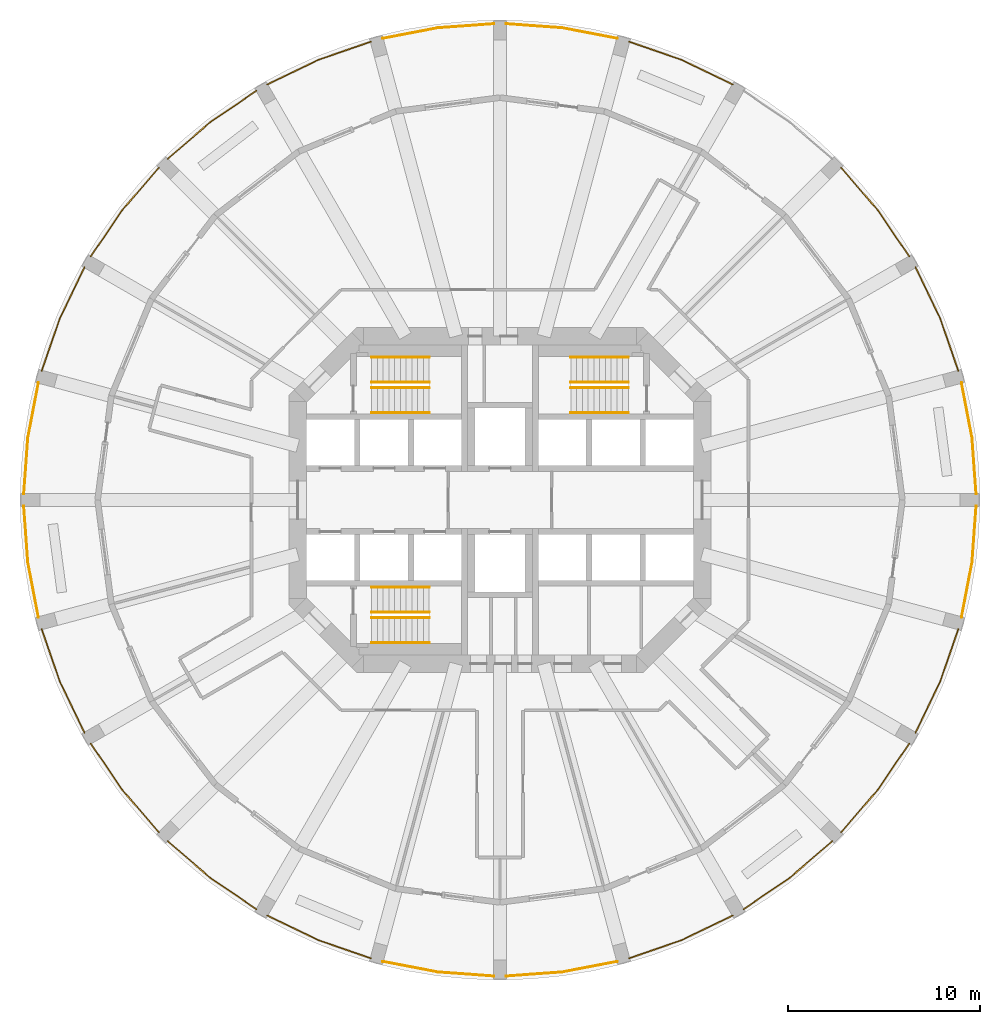
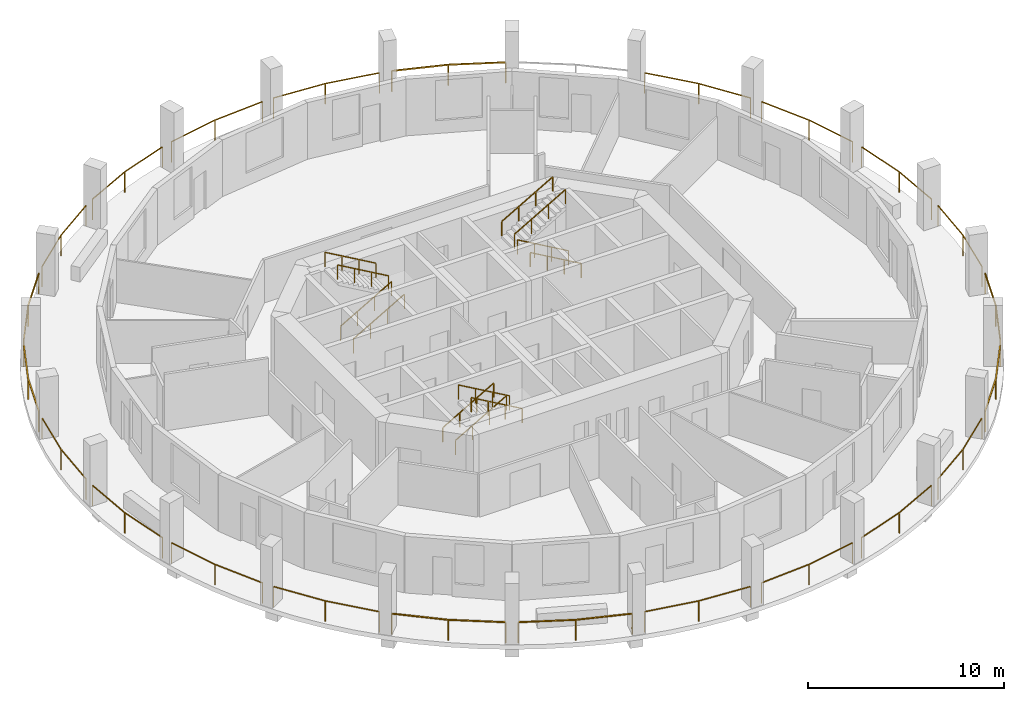
# One storey, part 7 of 8: 35 railings.
"""IFC4 building model written with IfcOpenShell, lengths in metres."""

from ifc_helpers import new_model, si_unit, direction, frame, origin, origin_2d, place, context, subcontext, project, spatial, rectangle, extrude, material, type_object, element, save


model = new_model("IFC4")

# Units and contexts
model_context = context("Model", 3, precision=1e-05, world=origin(), true_north=direction((0.0, 1.0)))
body_context = subcontext(model_context, "Body", "Model", "MODEL_VIEW")
ifc_project = project(units=[si_unit("LENGTHUNIT", "METRE"), si_unit("AREAUNIT", "SQUARE_METRE"), si_unit("VOLUMEUNIT", "CUBIC_METRE"), si_unit("PLANEANGLEUNIT", "RADIAN"), si_unit("MASSUNIT", "GRAM", prefix="KILO")], contexts=[model_context])

# Site, building, storey
site_placement = place(None, origin())
site = spatial("IfcSite", under=ifc_project, at=site_placement, CompositionType="ELEMENT")
building_placement = place(site_placement, origin())
building = spatial("IfcBuilding", under=site, at=building_placement, Name="Torre Triforio", CompositionType="ELEMENT")
storey_placement = place(building_placement, frame((0.0, 0.0, 116.199951171875)))
storey = spatial("IfcBuildingStorey", under=building, at=storey_placement, Name="L25", CompositionType="ELEMENT", Elevation=116.199951171875)

# Railings
ifc_material = material(Name="Stainless steel AISI 316", Category="steel")
railing_type_1 = type_object("IfcRailingType", Name="HANDRAIL 920", PredefinedType="HANDRAIL", material=ifc_material)
for number, where, name in (
    (1, (-6.699951171875, 4.550048828125, 0.1728515625), "Handrail ST1"),
    (2, (-6.699951171875, 5.85009765625, 0.1728515625), "Handrail ST1"),
):
    element("IfcRailing", number, at=place(storey_placement, frame(where)), inside=storey, type_object=railing_type_1, Name=name, PredefinedType="HANDRAIL", context=body_context, shape_type="SweptSolid", body=[
        extrude(rectangle(XDim=0.048095703125, YDim=0.048095703125, at=origin_2d()), frame((0.0, 0.0, 0.89599609375), z_axis=(0.866619684472, 0.0, 0.498969260062), x_axis=(0.0, 1.0, 0.0)), (0.0, 0.0, 1.0), 3.461669921875),
        extrude(rectangle(XDim=0.0419921875, YDim=0.0419921875, at=origin_2d()), origin(), (0.0, 0.0, 1.0), 0.871826171875),
        extrude(rectangle(XDim=0.0419921875, YDim=0.0419921875, at=origin_2d()), frame((1.0, 0.0, 0.57568359375)), (0.0, 0.0, 1.0), 0.871826171875),
        extrude(rectangle(XDim=0.0419921875, YDim=0.0419921875, at=origin_2d()), frame((2.0, 0.0, 1.151611328125)), (0.0, 0.0, 1.0), 0.871826171875),
        extrude(rectangle(XDim=0.0419921875, YDim=0.0419921875, at=origin_2d()), frame((3.0, 0.0, 1.727294921875)), (0.0, 0.0, 1.0), 0.871826171875),
    ])
for number, where, name in (
    (3, (-3.699951171875, 7.449951171875, 2.07275390625), "Handrail ST1"),
    (4, (-3.699951171875, 6.14990234375, 2.07275390625), "Handrail ST1"),
    (5, (6.699951171875, 4.550048828125, 0.1728515625), "Handrail ST2"),
    (6, (6.699951171875, 5.85009765625, 0.1728515625), "Handrail ST2"),
):
    element("IfcRailing", number, at=place(storey_placement, frame(where)), inside=storey, type_object=railing_type_1, Name=name, PredefinedType="HANDRAIL", context=body_context, shape_type="SweptSolid", body=[
        extrude(rectangle(XDim=0.048095703125, YDim=0.048095703125, at=origin_2d()), frame((0.0, 0.0, 0.89599609375), z_axis=(-0.866619684472, 0.0, 0.498969260062), x_axis=(0.0, -1.0, 0.0)), (0.0, 0.0, 1.0), 3.461669921875),
        extrude(rectangle(XDim=0.0419921875, YDim=0.0419921875, at=origin_2d()), origin(), (0.0, 0.0, 1.0), 0.871826171875),
        extrude(rectangle(XDim=0.0419921875, YDim=0.0419921875, at=origin_2d()), frame((-1.0, 0.0, 0.57568359375)), (0.0, 0.0, 1.0), 0.871826171875),
        extrude(rectangle(XDim=0.0419921875, YDim=0.0419921875, at=origin_2d()), frame((-2.0, 0.0, 1.151611328125)), (0.0, 0.0, 1.0), 0.871826171875),
        extrude(rectangle(XDim=0.0419921875, YDim=0.0419921875, at=origin_2d()), frame((-3.0, 0.0, 1.727294921875)), (0.0, 0.0, 1.0), 0.871826171875),
    ])
for number, where, name in (
    (7, (3.699951171875, 7.449951171875, 2.07275390625), "Handrail ST2"),
    (8, (3.699951171875, 6.14990234375, 2.07275390625), "Handrail ST2"),
    (9, (-6.699951171875, -4.550048828125, 0.1728515625), "Handrail ST3"),
    (10, (-6.699951171875, -5.85009765625, 0.1728515625), "Handrail ST3"),
):
    element("IfcRailing", number, at=place(storey_placement, frame(where)), inside=storey, type_object=railing_type_1, Name=name, PredefinedType="HANDRAIL", context=body_context, shape_type="SweptSolid", body=[
        extrude(rectangle(XDim=0.048095703125, YDim=0.048095703125, at=origin_2d()), frame((0.0, 0.0, 0.89599609375), z_axis=(0.866619684472, 0.0, 0.498969260062), x_axis=(0.0, 1.0, 0.0)), (0.0, 0.0, 1.0), 3.461669921875),
        extrude(rectangle(XDim=0.0419921875, YDim=0.0419921875, at=origin_2d()), origin(), (0.0, 0.0, 1.0), 0.871826171875),
        extrude(rectangle(XDim=0.0419921875, YDim=0.0419921875, at=origin_2d()), frame((1.0, 0.0, 0.57568359375)), (0.0, 0.0, 1.0), 0.871826171875),
        extrude(rectangle(XDim=0.0419921875, YDim=0.0419921875, at=origin_2d()), frame((2.0, 0.0, 1.151611328125)), (0.0, 0.0, 1.0), 0.871826171875),
        extrude(rectangle(XDim=0.0419921875, YDim=0.0419921875, at=origin_2d()), frame((3.0, 0.0, 1.727294921875)), (0.0, 0.0, 1.0), 0.871826171875),
    ])
for number, where, name in (
    (11, (-3.699951171875, -7.449951171875, 2.07275390625), "Handrail ST3"),
    (12, (-3.699951171875, -6.14990234375, 2.07275390625), "Handrail ST3"),
):
    element("IfcRailing", number, at=place(storey_placement, frame(where)), inside=storey, type_object=railing_type_1, Name=name, PredefinedType="HANDRAIL", context=body_context, shape_type="SweptSolid", body=[
        extrude(rectangle(XDim=0.048095703125, YDim=0.048095703125, at=origin_2d()), frame((0.0, 0.0, 0.89599609375), z_axis=(-0.866619684472, 0.0, 0.498969260062), x_axis=(0.0, -1.0, 0.0)), (0.0, 0.0, 1.0), 3.461669921875),
        extrude(rectangle(XDim=0.0419921875, YDim=0.0419921875, at=origin_2d()), origin(), (0.0, 0.0, 1.0), 0.871826171875),
        extrude(rectangle(XDim=0.0419921875, YDim=0.0419921875, at=origin_2d()), frame((-1.0, 0.0, 0.57568359375)), (0.0, 0.0, 1.0), 0.871826171875),
        extrude(rectangle(XDim=0.0419921875, YDim=0.0419921875, at=origin_2d()), frame((-2.0, 0.0, 1.151611328125)), (0.0, 0.0, 1.0), 0.871826171875),
        extrude(rectangle(XDim=0.0419921875, YDim=0.0419921875, at=origin_2d()), frame((-3.0, 0.0, 1.727294921875)), (0.0, 0.0, 1.0), 0.871826171875),
    ])
railing_type_2 = type_object("IfcRailingType", Name="Loggia guard 1300", PredefinedType="GUARDRAIL", material=ifc_material)
railing_1_placement = place(storey_placement, frame((24.85009765625, 0.320068359375, 0.0)))
element("IfcRailing", 13, at=railing_1_placement, inside=storey, type_object=railing_type_2, Name="Loggia guard L25 bay 01", PredefinedType="GUARDRAIL", context=body_context, shape_type="SweptSolid", body=[
    extrude(rectangle(XDim=0.050048828125, YDim=0.050048828125, at=origin_2d()), frame((0.0, 0.0, 1.27490234375), z_axis=(-0.072543227511, 0.997365269168, 0.0), x_axis=(-0.997365269168, -0.072543227511, 0.0)), (0.0, 0.0, 1.0), 2.931396484375),
    extrude(rectangle(XDim=0.050048828125, YDim=0.050048828125, at=origin_2d()), frame((-0.212646484375, 2.923583984375, 1.27490234375), z_axis=(-0.188068851895, 0.982155846568, 0.0), x_axis=(-0.982155846568, -0.188068851895, 0.0)), (0.0, 0.0, 1.0), 2.93115234375),
    extrude(rectangle(XDim=0.0400390625, YDim=0.0400390625, at=origin_2d()), origin(), (0.0, 0.0, 1.0), 1.25),
    extrude(rectangle(XDim=0.0400390625, YDim=0.0400390625, at=origin_2d()), frame((-0.212646484375, 2.923583984375, 0.0)), (0.0, 0.0, 1.0), 1.25),
    extrude(rectangle(XDim=0.0400390625, YDim=0.0400390625, at=origin_2d()), frame((-0.763916015625, 5.802490234375, 0.0)), (0.0, 0.0, 1.0), 1.25),
])
railing_2_placement = place(storey_placement, frame((23.92041015625, 6.74072265625, 0.0)))
element("IfcRailing", 14, at=railing_2_placement, inside=storey, type_object=railing_type_2, Name="Loggia guard L25 bay 02", PredefinedType="GUARDRAIL", context=body_context, shape_type="SweptSolid", body=[
    extrude(rectangle(XDim=0.050048828125, YDim=0.050048828125, at=origin_2d()), frame((0.0, 0.0, 1.27490234375), z_axis=(-0.328145883403, 0.944627058264, 0.0), x_axis=(-0.944627058264, -0.328145883403, 0.0)), (0.0, 0.0, 1.0), 2.931396484375),
    extrude(rectangle(XDim=0.050048828125, YDim=0.050048828125, at=origin_2d()), frame((-0.9619140625, 2.76904296875, 1.27490234375), z_axis=(-0.435917913275, 0.899986429279, 0.0), x_axis=(-0.899986429279, -0.435917913275, 0.0)), (0.0, 0.0, 1.0), 2.931396484375),
    extrude(rectangle(XDim=0.0400390625, YDim=0.0400390625, at=origin_2d()), origin(), (0.0, 0.0, 1.0), 1.25),
    extrude(rectangle(XDim=0.0400390625, YDim=0.0400390625, at=origin_2d()), frame((-0.9619140625, 2.76904296875, 0.0)), (0.0, 0.0, 1.0), 1.25),
    extrude(rectangle(XDim=0.0400390625, YDim=0.0400390625, at=origin_2d()), frame((-2.23974609375, 5.4072265625, 0.0)), (0.0, 0.0, 1.0), 1.25),
])
railing_3_placement = place(storey_placement, frame((21.360595703125, 12.7021484375, 0.0)))
element("IfcRailing", 15, at=railing_3_placement, inside=storey, type_object=railing_type_2, Name="Loggia guard L25 bay 03", PredefinedType="GUARDRAIL", context=body_context, shape_type="SweptSolid", body=[
    extrude(rectangle(XDim=0.050048828125, YDim=0.050048828125, at=origin_2d()), frame((0.0, 0.0, 1.27490234375), z_axis=(-0.561466791934, 0.827499269821, 0.0), x_axis=(-0.827499269821, -0.561466791934, 0.0)), (0.0, 0.0, 1.0), 2.93115234375),
    extrude(rectangle(XDim=0.050048828125, YDim=0.050048828125, at=origin_2d()), frame((-1.645751953125, 2.425537109375, 1.27490234375), z_axis=(-0.653981928353, 0.756510170049, 0.0), x_axis=(-0.756510170049, -0.653981928353, 0.0)), (0.0, 0.0, 1.0), 2.93115234375),
    extrude(rectangle(XDim=0.0400390625, YDim=0.0400390625, at=origin_2d()), origin(), (0.0, 0.0, 1.0), 1.25),
    extrude(rectangle(XDim=0.0400390625, YDim=0.0400390625, at=origin_2d()), frame((-1.645751953125, 2.425537109375, 0.0)), (0.0, 0.0, 1.0), 1.25),
    extrude(rectangle(XDim=0.0400390625, YDim=0.0400390625, at=origin_2d()), frame((-3.562744140625, 4.64306640625, 0.0)), (0.0, 0.0, 1.0), 1.25),
])
railing_4_placement = place(storey_placement, frame((12.14794921875, 21.6806640625, 0.0)))
element("IfcRailing", 16, at=railing_4_placement, inside=storey, type_object=railing_type_2, Name="Loggia guard L25 bay 05", PredefinedType="GUARDRAIL", context=body_context, shape_type="SweptSolid", body=[
    extrude(rectangle(XDim=0.050048828125, YDim=0.050048828125, at=origin_2d()), frame((0.0, 0.0, 1.27490234375), z_axis=(-0.899986429279, 0.435917913275, 0.0), x_axis=(-0.435917913275, -0.899986429279, 0.0)), (0.0, 0.0, 1.0), 2.931396484375),
    extrude(rectangle(XDim=0.050048828125, YDim=0.050048828125, at=origin_2d()), frame((-2.63818359375, 1.27783203125, 1.27490234375), z_axis=(-0.944627058264, 0.328145883403, 0.0), x_axis=(-0.328145883403, -0.944627058264, 0.0)), (0.0, 0.0, 1.0), 2.931396484375),
    extrude(rectangle(XDim=0.0400390625, YDim=0.0400390625, at=origin_2d()), origin(), (0.0, 0.0, 1.0), 1.25),
    extrude(rectangle(XDim=0.0400390625, YDim=0.0400390625, at=origin_2d()), frame((-2.63818359375, 1.27783203125, 0.0)), (0.0, 0.0, 1.0), 1.25),
    extrude(rectangle(XDim=0.0400390625, YDim=0.0400390625, at=origin_2d()), frame((-5.4072265625, 2.23974609375, 0.0)), (0.0, 0.0, 1.0), 1.25),
])
railing_5_placement = place(storey_placement, frame((6.12255859375, 24.086181640625, 0.0)))
element("IfcRailing", 17, at=railing_5_placement, inside=storey, type_object=railing_type_2, Name="Loggia guard L25 bay 06", PredefinedType="GUARDRAIL", context=body_context, shape_type="SweptSolid", body=[
    extrude(rectangle(XDim=0.050048828125, YDim=0.050048828125, at=origin_2d()), frame((0.0, 0.0, 1.27490234375), z_axis=(-0.982155846568, 0.188068851895, 0.0), x_axis=(-0.188068851895, -0.982155846568, 0.0)), (0.0, 0.0, 1.0), 2.93115234375),
    extrude(rectangle(XDim=0.050048828125, YDim=0.050048828125, at=origin_2d()), frame((-2.87890625, 0.55126953125, 1.27490234375), z_axis=(-0.997365269168, 0.072543227511, 0.0), x_axis=(-0.072543227511, -0.997365269168, 0.0)), (0.0, 0.0, 1.0), 2.931396484375),
    extrude(rectangle(XDim=0.0400390625, YDim=0.0400390625, at=origin_2d()), origin(), (0.0, 0.0, 1.0), 1.25),
    extrude(rectangle(XDim=0.0400390625, YDim=0.0400390625, at=origin_2d()), frame((-2.87890625, 0.55126953125, 0.0)), (0.0, 0.0, 1.0), 1.25),
    extrude(rectangle(XDim=0.0400390625, YDim=0.0400390625, at=origin_2d()), frame((-5.802490234375, 0.763916015625, 0.0)), (0.0, 0.0, 1.0), 1.25),
])
railing_6_placement = place(storey_placement, frame((-0.320068359375, 24.85009765625, 0.0)))
element("IfcRailing", 18, at=railing_6_placement, inside=storey, type_object=railing_type_2, Name="Loggia guard L25 bay 07", PredefinedType="GUARDRAIL", context=body_context, shape_type="SweptSolid", body=[
    extrude(rectangle(XDim=0.050048828125, YDim=0.050048828125, at=origin_2d()), frame((0.0, 0.0, 1.27490234375), z_axis=(-0.997365269168, -0.072543227511, 0.0), x_axis=(0.072543227511, -0.997365269168, 0.0)), (0.0, 0.0, 1.0), 2.931396484375),
    extrude(rectangle(XDim=0.050048828125, YDim=0.050048828125, at=origin_2d()), frame((-2.923583984375, -0.212646484375, 1.27490234375), z_axis=(-0.982155846568, -0.188068851895, 0.0), x_axis=(0.188068851895, -0.982155846568, 0.0)), (0.0, 0.0, 1.0), 2.93115234375),
    extrude(rectangle(XDim=0.0400390625, YDim=0.0400390625, at=origin_2d()), origin(), (0.0, 0.0, 1.0), 1.25),
    extrude(rectangle(XDim=0.0400390625, YDim=0.0400390625, at=origin_2d()), frame((-2.923583984375, -0.212646484375, 0.0)), (0.0, 0.0, 1.0), 1.25),
    extrude(rectangle(XDim=0.0400390625, YDim=0.0400390625, at=origin_2d()), frame((-5.802490234375, -0.763916015625, 0.0)), (0.0, 0.0, 1.0), 1.25),
])
railing_7_placement = place(storey_placement, frame((-6.74072265625, 23.92041015625, 0.0)))
element("IfcRailing", 19, at=railing_7_placement, inside=storey, type_object=railing_type_2, Name="Loggia guard L25 bay 08", PredefinedType="GUARDRAIL", context=body_context, shape_type="SweptSolid", body=[
    extrude(rectangle(XDim=0.050048828125, YDim=0.050048828125, at=origin_2d()), frame((0.0, 0.0, 1.27490234375), z_axis=(-0.944627058264, -0.328145883403, 0.0), x_axis=(0.328145883403, -0.944627058264, 0.0)), (0.0, 0.0, 1.0), 2.931396484375),
    extrude(rectangle(XDim=0.050048828125, YDim=0.050048828125, at=origin_2d()), frame((-2.76904296875, -0.9619140625, 1.27490234375), z_axis=(-0.899986429279, -0.435917913275, 0.0), x_axis=(0.435917913275, -0.899986429279, 0.0)), (0.0, 0.0, 1.0), 2.931396484375),
    extrude(rectangle(XDim=0.0400390625, YDim=0.0400390625, at=origin_2d()), origin(), (0.0, 0.0, 1.0), 1.25),
    extrude(rectangle(XDim=0.0400390625, YDim=0.0400390625, at=origin_2d()), frame((-2.76904296875, -0.9619140625, 0.0)), (0.0, 0.0, 1.0), 1.25),
    extrude(rectangle(XDim=0.0400390625, YDim=0.0400390625, at=origin_2d()), frame((-5.4072265625, -2.23974609375, 0.0)), (0.0, 0.0, 1.0), 1.25),
])
railing_8_placement = place(storey_placement, frame((-12.7021484375, 21.360595703125, 0.0)))
element("IfcRailing", 20, at=railing_8_placement, inside=storey, type_object=railing_type_2, Name="Loggia guard L25 bay 09", PredefinedType="GUARDRAIL", context=body_context, shape_type="SweptSolid", body=[
    extrude(rectangle(XDim=0.050048828125, YDim=0.050048828125, at=origin_2d()), frame((0.0, 0.0, 1.27490234375), z_axis=(-0.827499269821, -0.561466791934, 0.0), x_axis=(0.561466791934, -0.827499269821, 0.0)), (0.0, 0.0, 1.0), 2.93115234375),
    extrude(rectangle(XDim=0.050048828125, YDim=0.050048828125, at=origin_2d()), frame((-2.425537109375, -1.645751953125, 1.27490234375), z_axis=(-0.756510170049, -0.653981928353, 0.0), x_axis=(0.653981928353, -0.756510170049, 0.0)), (0.0, 0.0, 1.0), 2.93115234375),
    extrude(rectangle(XDim=0.0400390625, YDim=0.0400390625, at=origin_2d()), origin(), (0.0, 0.0, 1.0), 1.25),
    extrude(rectangle(XDim=0.0400390625, YDim=0.0400390625, at=origin_2d()), frame((-2.425537109375, -1.645751953125, 0.0)), (0.0, 0.0, 1.0), 1.25),
    extrude(rectangle(XDim=0.0400390625, YDim=0.0400390625, at=origin_2d()), frame((-4.64306640625, -3.562744140625, 0.0)), (0.0, 0.0, 1.0), 1.25),
])
railing_9_placement = place(storey_placement, frame((-17.7978515625, 17.34521484375, 0.0)))
element("IfcRailing", 21, at=railing_9_placement, inside=storey, type_object=railing_type_2, Name="Loggia guard L25 bay 10", PredefinedType="GUARDRAIL", context=body_context, shape_type="SweptSolid", body=[
    extrude(rectangle(XDim=0.050048828125, YDim=0.050048828125, at=origin_2d()), frame((0.0, 0.0, 1.27490234375), z_axis=(-0.653981928353, -0.756510170049, 0.0), x_axis=(0.756510170049, -0.653981928353, 0.0)), (0.0, 0.0, 1.0), 2.93115234375),
    extrude(rectangle(XDim=0.050048828125, YDim=0.050048828125, at=origin_2d()), frame((-1.9169921875, -2.217529296875, 1.27490234375), z_axis=(-0.561466791934, -0.827499269821, 0.0), x_axis=(0.827499269821, -0.561466791934, 0.0)), (0.0, 0.0, 1.0), 2.93115234375),
    extrude(rectangle(XDim=0.0400390625, YDim=0.0400390625, at=origin_2d()), origin(), (0.0, 0.0, 1.0), 1.25),
    extrude(rectangle(XDim=0.0400390625, YDim=0.0400390625, at=origin_2d()), frame((-1.9169921875, -2.217529296875, 0.0)), (0.0, 0.0, 1.0), 1.25),
    extrude(rectangle(XDim=0.0400390625, YDim=0.0400390625, at=origin_2d()), frame((-3.562744140625, -4.64306640625, 0.0)), (0.0, 0.0, 1.0), 1.25),
])
railing_10_placement = place(storey_placement, frame((-21.6806640625, 12.14794921875, 0.0)))
element("IfcRailing", 22, at=railing_10_placement, inside=storey, type_object=railing_type_2, Name="Loggia guard L25 bay 11", PredefinedType="GUARDRAIL", context=body_context, shape_type="SweptSolid", body=[
    extrude(rectangle(XDim=0.050048828125, YDim=0.050048828125, at=origin_2d()), frame((0.0, 0.0, 1.27490234375), z_axis=(-0.435917913275, -0.899986429279, 0.0), x_axis=(0.899986429279, -0.435917913275, 0.0)), (0.0, 0.0, 1.0), 2.931396484375),
    extrude(rectangle(XDim=0.050048828125, YDim=0.050048828125, at=origin_2d()), frame((-1.27783203125, -2.63818359375, 1.27490234375), z_axis=(-0.328145883403, -0.944627058264, 0.0), x_axis=(0.944627058264, -0.328145883403, 0.0)), (0.0, 0.0, 1.0), 2.931396484375),
    extrude(rectangle(XDim=0.0400390625, YDim=0.0400390625, at=origin_2d()), origin(), (0.0, 0.0, 1.0), 1.25),
    extrude(rectangle(XDim=0.0400390625, YDim=0.0400390625, at=origin_2d()), frame((-1.27783203125, -2.63818359375, 0.0)), (0.0, 0.0, 1.0), 1.25),
    extrude(rectangle(XDim=0.0400390625, YDim=0.0400390625, at=origin_2d()), frame((-2.23974609375, -5.4072265625, 0.0)), (0.0, 0.0, 1.0), 1.25),
])
railing_11_placement = place(storey_placement, frame((-24.086181640625, 6.12255859375, 0.0)))
element("IfcRailing", 23, at=railing_11_placement, inside=storey, type_object=railing_type_2, Name="Loggia guard L25 bay 12", PredefinedType="GUARDRAIL", context=body_context, shape_type="SweptSolid", body=[
    extrude(rectangle(XDim=0.050048828125, YDim=0.050048828125, at=origin_2d()), frame((0.0, 0.0, 1.27490234375), z_axis=(-0.188068851895, -0.982155846568, 0.0), x_axis=(0.982155846568, -0.188068851895, 0.0)), (0.0, 0.0, 1.0), 2.93115234375),
    extrude(rectangle(XDim=0.050048828125, YDim=0.050048828125, at=origin_2d()), frame((-0.55126953125, -2.87890625, 1.27490234375), z_axis=(-0.072543227511, -0.997365269168, 0.0), x_axis=(0.997365269168, -0.072543227511, 0.0)), (0.0, 0.0, 1.0), 2.931396484375),
    extrude(rectangle(XDim=0.0400390625, YDim=0.0400390625, at=origin_2d()), origin(), (0.0, 0.0, 1.0), 1.25),
    extrude(rectangle(XDim=0.0400390625, YDim=0.0400390625, at=origin_2d()), frame((-0.55126953125, -2.87890625, 0.0)), (0.0, 0.0, 1.0), 1.25),
    extrude(rectangle(XDim=0.0400390625, YDim=0.0400390625, at=origin_2d()), frame((-0.763916015625, -5.802490234375, 0.0)), (0.0, 0.0, 1.0), 1.25),
])
railing_12_placement = place(storey_placement, frame((-24.85009765625, -0.320068359375, 0.0)))
element("IfcRailing", 24, at=railing_12_placement, inside=storey, type_object=railing_type_2, Name="Loggia guard L25 bay 13", PredefinedType="GUARDRAIL", context=body_context, shape_type="SweptSolid", body=[
    extrude(rectangle(XDim=0.050048828125, YDim=0.050048828125, at=origin_2d()), frame((0.0, 0.0, 1.27490234375), z_axis=(0.072543227511, -0.997365269168, 0.0), x_axis=(0.997365269168, 0.072543227511, 0.0)), (0.0, 0.0, 1.0), 2.931396484375),
    extrude(rectangle(XDim=0.050048828125, YDim=0.050048828125, at=origin_2d()), frame((0.212646484375, -2.923583984375, 1.27490234375), z_axis=(0.188068851895, -0.982155846568, 0.0), x_axis=(0.982155846568, 0.188068851895, 0.0)), (0.0, 0.0, 1.0), 2.93115234375),
    extrude(rectangle(XDim=0.0400390625, YDim=0.0400390625, at=origin_2d()), origin(), (0.0, 0.0, 1.0), 1.25),
    extrude(rectangle(XDim=0.0400390625, YDim=0.0400390625, at=origin_2d()), frame((0.212646484375, -2.923583984375, 0.0)), (0.0, 0.0, 1.0), 1.25),
    extrude(rectangle(XDim=0.0400390625, YDim=0.0400390625, at=origin_2d()), frame((0.763916015625, -5.802490234375, 0.0)), (0.0, 0.0, 1.0), 1.25),
])
railing_13_placement = place(storey_placement, frame((-23.92041015625, -6.74072265625, 0.0)))
element("IfcRailing", 25, at=railing_13_placement, inside=storey, type_object=railing_type_2, Name="Loggia guard L25 bay 14", PredefinedType="GUARDRAIL", context=body_context, shape_type="SweptSolid", body=[
    extrude(rectangle(XDim=0.050048828125, YDim=0.050048828125, at=origin_2d()), frame((0.0, 0.0, 1.27490234375), z_axis=(0.328145883403, -0.944627058264, 0.0), x_axis=(0.944627058264, 0.328145883403, 0.0)), (0.0, 0.0, 1.0), 2.931396484375),
    extrude(rectangle(XDim=0.050048828125, YDim=0.050048828125, at=origin_2d()), frame((0.9619140625, -2.76904296875, 1.27490234375), z_axis=(0.435917913275, -0.899986429279, 0.0), x_axis=(0.899986429279, 0.435917913275, 0.0)), (0.0, 0.0, 1.0), 2.931396484375),
    extrude(rectangle(XDim=0.0400390625, YDim=0.0400390625, at=origin_2d()), origin(), (0.0, 0.0, 1.0), 1.25),
    extrude(rectangle(XDim=0.0400390625, YDim=0.0400390625, at=origin_2d()), frame((0.9619140625, -2.76904296875, 0.0)), (0.0, 0.0, 1.0), 1.25),
    extrude(rectangle(XDim=0.0400390625, YDim=0.0400390625, at=origin_2d()), frame((2.23974609375, -5.4072265625, 0.0)), (0.0, 0.0, 1.0), 1.25),
])
railing_14_placement = place(storey_placement, frame((-21.360595703125, -12.7021484375, 0.0)))
element("IfcRailing", 26, at=railing_14_placement, inside=storey, type_object=railing_type_2, Name="Loggia guard L25 bay 15", PredefinedType="GUARDRAIL", context=body_context, shape_type="SweptSolid", body=[
    extrude(rectangle(XDim=0.050048828125, YDim=0.050048828125, at=origin_2d()), frame((0.0, 0.0, 1.27490234375), z_axis=(0.561466791934, -0.827499269821, 0.0), x_axis=(0.827499269821, 0.561466791934, 0.0)), (0.0, 0.0, 1.0), 2.93115234375),
    extrude(rectangle(XDim=0.050048828125, YDim=0.050048828125, at=origin_2d()), frame((1.645751953125, -2.425537109375, 1.27490234375), z_axis=(0.653981928353, -0.756510170049, 0.0), x_axis=(0.756510170049, 0.653981928353, 0.0)), (0.0, 0.0, 1.0), 2.93115234375),
    extrude(rectangle(XDim=0.0400390625, YDim=0.0400390625, at=origin_2d()), origin(), (0.0, 0.0, 1.0), 1.25),
    extrude(rectangle(XDim=0.0400390625, YDim=0.0400390625, at=origin_2d()), frame((1.645751953125, -2.425537109375, 0.0)), (0.0, 0.0, 1.0), 1.25),
    extrude(rectangle(XDim=0.0400390625, YDim=0.0400390625, at=origin_2d()), frame((3.562744140625, -4.64306640625, 0.0)), (0.0, 0.0, 1.0), 1.25),
])
railing_15_placement = place(storey_placement, frame((-17.34521484375, -17.7978515625, 0.0)))
element("IfcRailing", 27, at=railing_15_placement, inside=storey, type_object=railing_type_2, Name="Loggia guard L25 bay 16", PredefinedType="GUARDRAIL", context=body_context, shape_type="SweptSolid", body=[
    extrude(rectangle(XDim=0.050048828125, YDim=0.050048828125, at=origin_2d()), frame((0.0, 0.0, 1.27490234375), z_axis=(0.756510170049, -0.653981928353, 0.0), x_axis=(0.653981928353, 0.756510170049, 0.0)), (0.0, 0.0, 1.0), 2.93115234375),
    extrude(rectangle(XDim=0.050048828125, YDim=0.050048828125, at=origin_2d()), frame((2.217529296875, -1.9169921875, 1.27490234375), z_axis=(0.827499269821, -0.561466791934, 0.0), x_axis=(0.561466791934, 0.827499269821, 0.0)), (0.0, 0.0, 1.0), 2.93115234375),
    extrude(rectangle(XDim=0.0400390625, YDim=0.0400390625, at=origin_2d()), origin(), (0.0, 0.0, 1.0), 1.25),
    extrude(rectangle(XDim=0.0400390625, YDim=0.0400390625, at=origin_2d()), frame((2.217529296875, -1.9169921875, 0.0)), (0.0, 0.0, 1.0), 1.25),
    extrude(rectangle(XDim=0.0400390625, YDim=0.0400390625, at=origin_2d()), frame((4.64306640625, -3.562744140625, 0.0)), (0.0, 0.0, 1.0), 1.25),
])
railing_16_placement = place(storey_placement, frame((-12.14794921875, -21.6806640625, 0.0)))
element("IfcRailing", 28, at=railing_16_placement, inside=storey, type_object=railing_type_2, Name="Loggia guard L25 bay 17", PredefinedType="GUARDRAIL", context=body_context, shape_type="SweptSolid", body=[
    extrude(rectangle(XDim=0.050048828125, YDim=0.050048828125, at=origin_2d()), frame((0.0, 0.0, 1.27490234375), z_axis=(0.899986429279, -0.435917913275, 0.0), x_axis=(0.435917913275, 0.899986429279, 0.0)), (0.0, 0.0, 1.0), 2.931396484375),
    extrude(rectangle(XDim=0.050048828125, YDim=0.050048828125, at=origin_2d()), frame((2.63818359375, -1.27783203125, 1.27490234375), z_axis=(0.944627058264, -0.328145883403, 0.0), x_axis=(0.328145883403, 0.944627058264, 0.0)), (0.0, 0.0, 1.0), 2.931396484375),
    extrude(rectangle(XDim=0.0400390625, YDim=0.0400390625, at=origin_2d()), origin(), (0.0, 0.0, 1.0), 1.25),
    extrude(rectangle(XDim=0.0400390625, YDim=0.0400390625, at=origin_2d()), frame((2.63818359375, -1.27783203125, 0.0)), (0.0, 0.0, 1.0), 1.25),
    extrude(rectangle(XDim=0.0400390625, YDim=0.0400390625, at=origin_2d()), frame((5.4072265625, -2.23974609375, 0.0)), (0.0, 0.0, 1.0), 1.25),
])
railing_17_placement = place(storey_placement, frame((-6.12255859375, -24.086181640625, 0.0)))
element("IfcRailing", 29, at=railing_17_placement, inside=storey, type_object=railing_type_2, Name="Loggia guard L25 bay 18", PredefinedType="GUARDRAIL", context=body_context, shape_type="SweptSolid", body=[
    extrude(rectangle(XDim=0.050048828125, YDim=0.050048828125, at=origin_2d()), frame((0.0, 0.0, 1.27490234375), z_axis=(0.982155846568, -0.188068851895, 0.0), x_axis=(0.188068851895, 0.982155846568, 0.0)), (0.0, 0.0, 1.0), 2.93115234375),
    extrude(rectangle(XDim=0.050048828125, YDim=0.050048828125, at=origin_2d()), frame((2.87890625, -0.55126953125, 1.27490234375), z_axis=(0.997365269168, -0.072543227511, 0.0), x_axis=(0.072543227511, 0.997365269168, 0.0)), (0.0, 0.0, 1.0), 2.931396484375),
    extrude(rectangle(XDim=0.0400390625, YDim=0.0400390625, at=origin_2d()), origin(), (0.0, 0.0, 1.0), 1.25),
    extrude(rectangle(XDim=0.0400390625, YDim=0.0400390625, at=origin_2d()), frame((2.87890625, -0.55126953125, 0.0)), (0.0, 0.0, 1.0), 1.25),
    extrude(rectangle(XDim=0.0400390625, YDim=0.0400390625, at=origin_2d()), frame((5.802490234375, -0.763916015625, 0.0)), (0.0, 0.0, 1.0), 1.25),
])
railing_18_placement = place(storey_placement, frame((0.320068359375, -24.85009765625, 0.0)))
element("IfcRailing", 30, at=railing_18_placement, inside=storey, type_object=railing_type_2, Name="Loggia guard L25 bay 19", PredefinedType="GUARDRAIL", context=body_context, shape_type="SweptSolid", body=[
    extrude(rectangle(XDim=0.050048828125, YDim=0.050048828125, at=origin_2d()), frame((0.0, 0.0, 1.27490234375), z_axis=(0.997365269168, 0.072543227511, 0.0), x_axis=(-0.072543227511, 0.997365269168, 0.0)), (0.0, 0.0, 1.0), 2.931396484375),
    extrude(rectangle(XDim=0.050048828125, YDim=0.050048828125, at=origin_2d()), frame((2.923583984375, 0.212646484375, 1.27490234375), z_axis=(0.982155846568, 0.188068851895, 0.0), x_axis=(-0.188068851895, 0.982155846568, 0.0)), (0.0, 0.0, 1.0), 2.93115234375),
    extrude(rectangle(XDim=0.0400390625, YDim=0.0400390625, at=origin_2d()), origin(), (0.0, 0.0, 1.0), 1.25),
    extrude(rectangle(XDim=0.0400390625, YDim=0.0400390625, at=origin_2d()), frame((2.923583984375, 0.212646484375, 0.0)), (0.0, 0.0, 1.0), 1.25),
    extrude(rectangle(XDim=0.0400390625, YDim=0.0400390625, at=origin_2d()), frame((5.802490234375, 0.763916015625, 0.0)), (0.0, 0.0, 1.0), 1.25),
])
railing_19_placement = place(storey_placement, frame((6.74072265625, -23.92041015625, 0.0)))
element("IfcRailing", 31, at=railing_19_placement, inside=storey, type_object=railing_type_2, Name="Loggia guard L25 bay 20", PredefinedType="GUARDRAIL", context=body_context, shape_type="SweptSolid", body=[
    extrude(rectangle(XDim=0.050048828125, YDim=0.050048828125, at=origin_2d()), frame((0.0, 0.0, 1.27490234375), z_axis=(0.944627058264, 0.328145883403, 0.0), x_axis=(-0.328145883403, 0.944627058264, 0.0)), (0.0, 0.0, 1.0), 2.931396484375),
    extrude(rectangle(XDim=0.050048828125, YDim=0.050048828125, at=origin_2d()), frame((2.76904296875, 0.9619140625, 1.27490234375), z_axis=(0.899986429279, 0.435917913275, 0.0), x_axis=(-0.435917913275, 0.899986429279, 0.0)), (0.0, 0.0, 1.0), 2.931396484375),
    extrude(rectangle(XDim=0.0400390625, YDim=0.0400390625, at=origin_2d()), origin(), (0.0, 0.0, 1.0), 1.25),
    extrude(rectangle(XDim=0.0400390625, YDim=0.0400390625, at=origin_2d()), frame((2.76904296875, 0.9619140625, 0.0)), (0.0, 0.0, 1.0), 1.25),
    extrude(rectangle(XDim=0.0400390625, YDim=0.0400390625, at=origin_2d()), frame((5.4072265625, 2.23974609375, 0.0)), (0.0, 0.0, 1.0), 1.25),
])
railing_20_placement = place(storey_placement, frame((12.7021484375, -21.360595703125, 0.0)))
element("IfcRailing", 32, at=railing_20_placement, inside=storey, type_object=railing_type_2, Name="Loggia guard L25 bay 21", PredefinedType="GUARDRAIL", context=body_context, shape_type="SweptSolid", body=[
    extrude(rectangle(XDim=0.050048828125, YDim=0.050048828125, at=origin_2d()), frame((0.0, 0.0, 1.27490234375), z_axis=(0.827499269821, 0.561466791934, 0.0), x_axis=(-0.561466791934, 0.827499269821, 0.0)), (0.0, 0.0, 1.0), 2.93115234375),
    extrude(rectangle(XDim=0.050048828125, YDim=0.050048828125, at=origin_2d()), frame((2.425537109375, 1.645751953125, 1.27490234375), z_axis=(0.756510170049, 0.653981928353, 0.0), x_axis=(-0.653981928353, 0.756510170049, 0.0)), (0.0, 0.0, 1.0), 2.93115234375),
    extrude(rectangle(XDim=0.0400390625, YDim=0.0400390625, at=origin_2d()), origin(), (0.0, 0.0, 1.0), 1.25),
    extrude(rectangle(XDim=0.0400390625, YDim=0.0400390625, at=origin_2d()), frame((2.425537109375, 1.645751953125, 0.0)), (0.0, 0.0, 1.0), 1.25),
    extrude(rectangle(XDim=0.0400390625, YDim=0.0400390625, at=origin_2d()), frame((4.64306640625, 3.562744140625, 0.0)), (0.0, 0.0, 1.0), 1.25),
])
railing_21_placement = place(storey_placement, frame((17.7978515625, -17.34521484375, 0.0)))
element("IfcRailing", 33, at=railing_21_placement, inside=storey, type_object=railing_type_2, Name="Loggia guard L25 bay 22", PredefinedType="GUARDRAIL", context=body_context, shape_type="SweptSolid", body=[
    extrude(rectangle(XDim=0.050048828125, YDim=0.050048828125, at=origin_2d()), frame((0.0, 0.0, 1.27490234375), z_axis=(0.653981928353, 0.756510170049, 0.0), x_axis=(-0.756510170049, 0.653981928353, 0.0)), (0.0, 0.0, 1.0), 2.93115234375),
    extrude(rectangle(XDim=0.050048828125, YDim=0.050048828125, at=origin_2d()), frame((1.9169921875, 2.217529296875, 1.27490234375), z_axis=(0.561466791934, 0.827499269821, 0.0), x_axis=(-0.827499269821, 0.561466791934, 0.0)), (0.0, 0.0, 1.0), 2.93115234375),
    extrude(rectangle(XDim=0.0400390625, YDim=0.0400390625, at=origin_2d()), origin(), (0.0, 0.0, 1.0), 1.25),
    extrude(rectangle(XDim=0.0400390625, YDim=0.0400390625, at=origin_2d()), frame((1.9169921875, 2.217529296875, 0.0)), (0.0, 0.0, 1.0), 1.25),
    extrude(rectangle(XDim=0.0400390625, YDim=0.0400390625, at=origin_2d()), frame((3.562744140625, 4.64306640625, 0.0)), (0.0, 0.0, 1.0), 1.25),
])
railing_22_placement = place(storey_placement, frame((21.6806640625, -12.14794921875, 0.0)))
element("IfcRailing", 34, at=railing_22_placement, inside=storey, type_object=railing_type_2, Name="Loggia guard L25 bay 23", PredefinedType="GUARDRAIL", context=body_context, shape_type="SweptSolid", body=[
    extrude(rectangle(XDim=0.050048828125, YDim=0.050048828125, at=origin_2d()), frame((0.0, 0.0, 1.27490234375), z_axis=(0.435917913275, 0.899986429279, 0.0), x_axis=(-0.899986429279, 0.435917913275, 0.0)), (0.0, 0.0, 1.0), 2.931396484375),
    extrude(rectangle(XDim=0.050048828125, YDim=0.050048828125, at=origin_2d()), frame((1.27783203125, 2.63818359375, 1.27490234375), z_axis=(0.328145883403, 0.944627058264, 0.0), x_axis=(-0.944627058264, 0.328145883403, 0.0)), (0.0, 0.0, 1.0), 2.931396484375),
    extrude(rectangle(XDim=0.0400390625, YDim=0.0400390625, at=origin_2d()), origin(), (0.0, 0.0, 1.0), 1.25),
    extrude(rectangle(XDim=0.0400390625, YDim=0.0400390625, at=origin_2d()), frame((1.27783203125, 2.63818359375, 0.0)), (0.0, 0.0, 1.0), 1.25),
    extrude(rectangle(XDim=0.0400390625, YDim=0.0400390625, at=origin_2d()), frame((2.23974609375, 5.4072265625, 0.0)), (0.0, 0.0, 1.0), 1.25),
])
railing_23_placement = place(storey_placement, frame((24.086181640625, -6.12255859375, 0.0)))
element("IfcRailing", 35, at=railing_23_placement, inside=storey, type_object=railing_type_2, Name="Loggia guard L25 bay 24", PredefinedType="GUARDRAIL", context=body_context, shape_type="SweptSolid", body=[
    extrude(rectangle(XDim=0.050048828125, YDim=0.050048828125, at=origin_2d()), frame((0.0, 0.0, 1.27490234375), z_axis=(0.188068851895, 0.982155846568, 0.0), x_axis=(-0.982155846568, 0.188068851895, 0.0)), (0.0, 0.0, 1.0), 2.93115234375),
    extrude(rectangle(XDim=0.050048828125, YDim=0.050048828125, at=origin_2d()), frame((0.55126953125, 2.87890625, 1.27490234375), z_axis=(0.072543227511, 0.997365269168, 0.0), x_axis=(-0.997365269168, 0.072543227511, 0.0)), (0.0, 0.0, 1.0), 2.931396484375),
    extrude(rectangle(XDim=0.0400390625, YDim=0.0400390625, at=origin_2d()), origin(), (0.0, 0.0, 1.0), 1.25),
    extrude(rectangle(XDim=0.0400390625, YDim=0.0400390625, at=origin_2d()), frame((0.55126953125, 2.87890625, 0.0)), (0.0, 0.0, 1.0), 1.25),
    extrude(rectangle(XDim=0.0400390625, YDim=0.0400390625, at=origin_2d()), frame((0.763916015625, 5.802490234375, 0.0)), (0.0, 0.0, 1.0), 1.25),
])

save(model, "model.ifc")
